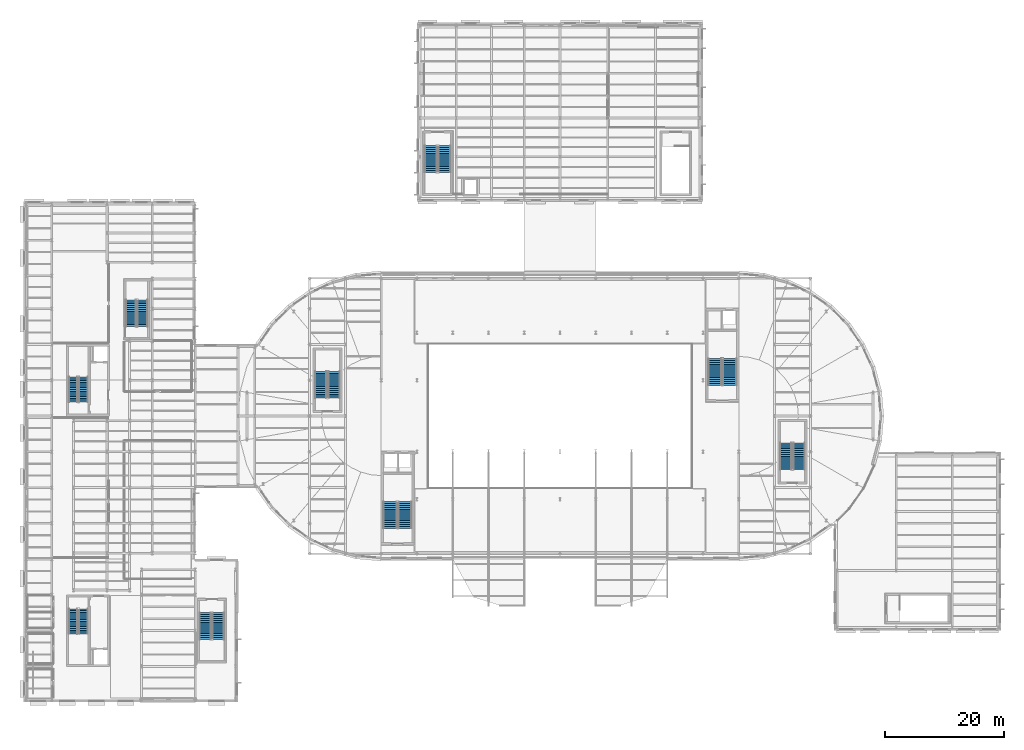
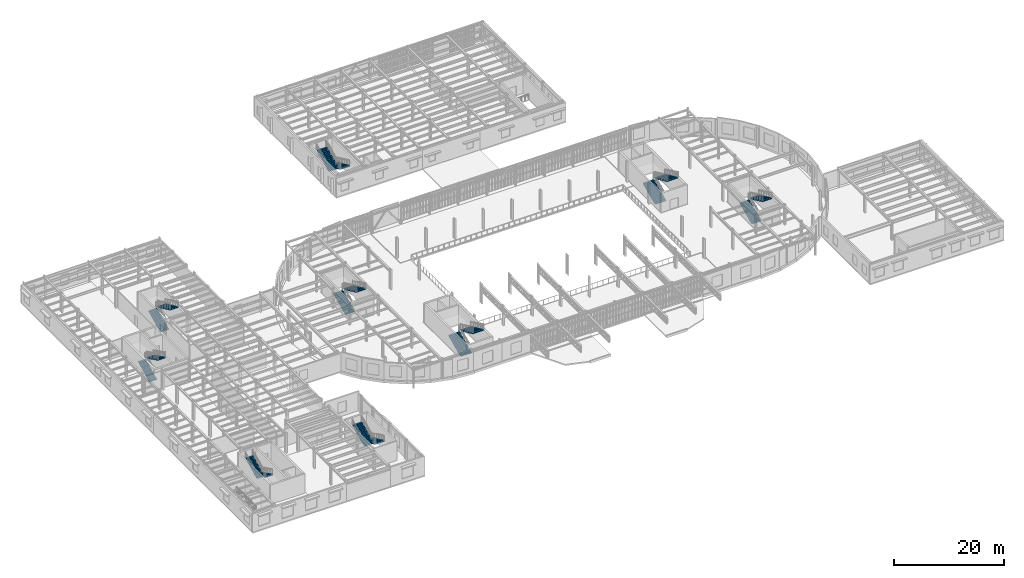
# One storey, part 72 of 91: 18 stair flights, 9 elements without a shape of their own.
"""IFC4 building model written with IfcOpenShell, lengths in metres."""

from ifc_helpers import new_model, si_unit, direction, frame, origin, place, context, subcontext, project, spatial, polyline, outline, extrude, material, type_object, element, aggregate, save


model = new_model("IFC4")

# Units and contexts
model_context = context("Model", 3, precision=1e-05, world=origin(), true_north=direction((0.0, 1.0)))
body_context = subcontext(model_context, "Body", "Model", "MODEL_VIEW")
ifc_project = project(units=[si_unit("LENGTHUNIT", "METRE"), si_unit("AREAUNIT", "SQUARE_METRE"), si_unit("VOLUMEUNIT", "CUBIC_METRE"), si_unit("PLANEANGLEUNIT", "RADIAN"), si_unit("MASSUNIT", "GRAM", prefix="KILO")], contexts=[model_context])

# Site, building, storey
site_placement = place(None, origin())
site = spatial("IfcSite", under=ifc_project, at=site_placement, CompositionType="ELEMENT")
building_placement = place(site_placement, origin())
building = spatial("IfcBuilding", under=site, at=building_placement, Name="Kolvaren Corner Interchange", CompositionType="ELEMENT")
storey_placement = place(building_placement, frame((0.0, 0.0, 6.0)))
storey = spatial("IfcBuildingStorey", under=building, at=storey_placement, Name="L02", CompositionType="ELEMENT", Elevation=6.0)

# Stair, stair flights
ifc_material_1 = material(Name="Concrete C35/45", Category="concrete")
stair_type_1 = type_object("IfcStairType", Name="ST-FF-1550", PredefinedType="HALF_TURN_STAIR", material=ifc_material_1)
stair_1_placement = place(storey_placement, origin())
stair_1 = element("IfcStair", 1, at=stair_1_placement, inside=storey, type_object=stair_type_1, Name="Core C1 Southwest Firefighting Stair L02 to L03 Stair", PredefinedType="HALF_TURN_STAIR")
ifc_material_2 = material(Name="Concrete C35/45", Category="concrete")
stair_flight_type_1 = type_object("IfcStairFlightType", Name="SFT-FF-1550", PredefinedType="STRAIGHT", material=ifc_material_2)
stair_flight_1_placement = place(storey_placement, frame((10.074951171875, 15.64990234375, 0.0), z_axis=(0.0, 0.0, 1.0), x_axis=(0.0, -1.0, 0.0)))
stair_flight_1 = element("IfcStairFlight", 2, at=stair_flight_1_placement, type_object=stair_flight_type_1, Name="Core C1 Southwest Firefighting Stair L02 Lower Flight", NumberOfRisers=15, NumberOfTreads=14, PredefinedType="STRAIGHT", RiserHeight=0.15, TreadLength=0.3, context=body_context, shape_type="SweptSolid", body=[
    extrude(outline(polyline([(0.0, 0.0), (0.0, 0.14990234375), (0.300048828125, 0.14990234375), (0.300048828125, 0.300048828125), (0.60009765625, 0.300048828125), (0.60009765625, 0.449951171875), (0.89990234375, 0.449951171875), (0.89990234375, 0.60009765625), (1.199951171875, 0.60009765625), (1.199951171875, 0.75), (1.5, 0.75), (1.5, 0.89990234375), (1.800048828125, 0.89990234375), (1.800048828125, 1.050048828125), (2.10009765625, 1.050048828125), (2.10009765625, 1.199951171875), (2.39990234375, 1.199951171875), (2.39990234375, 1.35009765625), (2.699951171875, 1.35009765625), (2.699951171875, 1.5), (3.0, 1.5), (3.0, 1.64990234375), (3.300048828125, 1.64990234375), (3.300048828125, 1.800048828125), (3.60009765625, 1.800048828125), (3.60009765625, 1.949951171875), (3.89990234375, 1.949951171875), (3.89990234375, 2.10009765625), (4.199951171875, 2.10009765625), (4.199951171875, 2.25), (4.199951171875, 1.921142578125), (0.357666015625, 0.0), (0.0, 0.0)])), frame((0.0, 0.77490234375, 0.0), z_axis=(0.0, -1.0, 0.0), x_axis=(1.0, 0.0, 0.0)), (0.0, 0.0, 1.0), 1.550048828125),
])
stair_flight_2_placement = place(storey_placement, frame((8.324951171875, 11.449951171875, 2.25), z_axis=(0.0, 0.0, 1.0), x_axis=(0.0, 1.0, 0.0)))
stair_flight_2 = element("IfcStairFlight", 3, at=stair_flight_2_placement, type_object=stair_flight_type_1, Name="Core C1 Southwest Firefighting Stair L02 Upper Flight", NumberOfRisers=15, NumberOfTreads=14, PredefinedType="STRAIGHT", RiserHeight=0.15, TreadLength=0.3, context=body_context, shape_type="SweptSolid", body=[
    extrude(outline(polyline([(0.0, 0.0), (0.0, 0.14990234375), (0.300048828125, 0.14990234375), (0.300048828125, 0.300048828125), (0.60009765625, 0.300048828125), (0.60009765625, 0.449951171875), (0.89990234375, 0.449951171875), (0.89990234375, 0.60009765625), (1.199951171875, 0.60009765625), (1.199951171875, 0.75), (1.5, 0.75), (1.5, 0.89990234375), (1.800048828125, 0.89990234375), (1.800048828125, 1.050048828125), (2.10009765625, 1.050048828125), (2.10009765625, 1.199951171875), (2.39990234375, 1.199951171875), (2.39990234375, 1.35009765625), (2.699951171875, 1.35009765625), (2.699951171875, 1.5), (3.0, 1.5), (3.0, 1.64990234375), (3.300048828125, 1.64990234375), (3.300048828125, 1.800048828125), (3.60009765625, 1.800048828125), (3.60009765625, 1.949951171875), (3.89990234375, 1.949951171875), (3.89990234375, 2.10009765625), (4.199951171875, 2.10009765625), (4.199951171875, 2.25), (4.199951171875, 1.921142578125), (0.357666015625, 0.0), (0.0, 0.0)])), frame((0.0, 0.77490234375, 0.0), z_axis=(0.0, -1.0, 0.0), x_axis=(1.0, 0.0, 0.0)), (0.0, 0.0, 1.0), 1.550048828125),
])
aggregate(stair_1, [stair_flight_1, stair_flight_2])

stair_2_placement = place(storey_placement, origin())
stair_2 = element("IfcStair", 4, at=stair_2_placement, inside=storey, type_object=stair_type_1, Name="Core C2 Northwest Firefighting Stair L02 to L03 Stair", PredefinedType="HALF_TURN_STAIR")
stair_flight_3_placement = place(storey_placement, frame((8.324951171875, 50.35009765625, 0.0), z_axis=(0.0, 0.0, 1.0), x_axis=(0.0, 1.0, 0.0)))
stair_flight_3 = element("IfcStairFlight", 5, at=stair_flight_3_placement, type_object=stair_flight_type_1, Name="Core C2 Northwest Firefighting Stair L02 Lower Flight", NumberOfRisers=15, NumberOfTreads=14, PredefinedType="STRAIGHT", RiserHeight=0.15, TreadLength=0.3, context=body_context, shape_type="SweptSolid", body=[
    extrude(outline(polyline([(0.0, 0.0), (0.0, 0.14990234375), (0.300048828125, 0.14990234375), (0.300048828125, 0.300048828125), (0.60009765625, 0.300048828125), (0.60009765625, 0.449951171875), (0.89990234375, 0.449951171875), (0.89990234375, 0.60009765625), (1.199951171875, 0.60009765625), (1.199951171875, 0.75), (1.5, 0.75), (1.5, 0.89990234375), (1.800048828125, 0.89990234375), (1.800048828125, 1.050048828125), (2.10009765625, 1.050048828125), (2.10009765625, 1.199951171875), (2.39990234375, 1.199951171875), (2.39990234375, 1.35009765625), (2.699951171875, 1.35009765625), (2.699951171875, 1.5), (3.0, 1.5), (3.0, 1.64990234375), (3.300048828125, 1.64990234375), (3.300048828125, 1.800048828125), (3.60009765625, 1.800048828125), (3.60009765625, 1.949951171875), (3.89990234375, 1.949951171875), (3.89990234375, 2.10009765625), (4.199951171875, 2.10009765625), (4.199951171875, 2.25), (4.199951171875, 1.921142578125), (0.357666015625, 0.0), (0.0, 0.0)])), frame((0.0, 0.77490234375, 0.0), z_axis=(0.0, -1.0, 0.0), x_axis=(1.0, 0.0, 0.0)), (0.0, 0.0, 1.0), 1.550048828125),
])
stair_flight_4_placement = place(storey_placement, frame((10.074951171875, 54.550048828125, 2.25), z_axis=(0.0, 0.0, 1.0), x_axis=(0.0, -1.0, 0.0)))
stair_flight_4 = element("IfcStairFlight", 6, at=stair_flight_4_placement, type_object=stair_flight_type_1, Name="Core C2 Northwest Firefighting Stair L02 Upper Flight", NumberOfRisers=15, NumberOfTreads=14, PredefinedType="STRAIGHT", RiserHeight=0.15, TreadLength=0.3, context=body_context, shape_type="SweptSolid", body=[
    extrude(outline(polyline([(0.0, 0.0), (0.0, 0.14990234375), (0.300048828125, 0.14990234375), (0.300048828125, 0.300048828125), (0.60009765625, 0.300048828125), (0.60009765625, 0.449951171875), (0.89990234375, 0.449951171875), (0.89990234375, 0.60009765625), (1.199951171875, 0.60009765625), (1.199951171875, 0.75), (1.5, 0.75), (1.5, 0.89990234375), (1.800048828125, 0.89990234375), (1.800048828125, 1.050048828125), (2.10009765625, 1.050048828125), (2.10009765625, 1.199951171875), (2.39990234375, 1.199951171875), (2.39990234375, 1.35009765625), (2.699951171875, 1.35009765625), (2.699951171875, 1.5), (3.0, 1.5), (3.0, 1.64990234375), (3.300048828125, 1.64990234375), (3.300048828125, 1.800048828125), (3.60009765625, 1.800048828125), (3.60009765625, 1.949951171875), (3.89990234375, 1.949951171875), (3.89990234375, 2.10009765625), (4.199951171875, 2.10009765625), (4.199951171875, 2.25), (4.199951171875, 1.921142578125), (0.357666015625, 0.0), (0.0, 0.0)])), frame((0.0, 0.77490234375, 0.0), z_axis=(0.0, -1.0, 0.0), x_axis=(1.0, 0.0, 0.0)), (0.0, 0.0, 1.0), 1.550048828125),
])
aggregate(stair_2, [stair_flight_3, stair_flight_4])

ifc_material_3 = material(Name="Concrete C35/45", Category="concrete")
stair_type_2 = type_object("IfcStairType", Name="ST-GL-2000", PredefinedType="HALF_TURN_STAIR", material=ifc_material_3)
stair_3_placement = place(storey_placement, origin())
stair_3 = element("IfcStair", 7, at=stair_3_placement, inside=storey, type_object=stair_type_2, Name="West Racetrack Concourse Gallery Stair L02 to L03 Stair", PredefinedType="HALF_TURN_STAIR")
ifc_material_4 = material(Name="Concrete C35/45", Category="concrete")
stair_flight_type_2 = type_object("IfcStairFlightType", Name="SFT-GL-2000", PredefinedType="STRAIGHT", material=ifc_material_4)
stair_flight_5_placement = place(storey_placement, frame((49.89990234375, 51.0, 0.0), z_axis=(0.0, 0.0, 1.0), x_axis=(0.0, 1.0, 0.0)))
stair_flight_5 = element("IfcStairFlight", 8, at=stair_flight_5_placement, type_object=stair_flight_type_2, Name="West Racetrack Concourse Gallery Stair L02 Lower Flight", NumberOfRisers=15, NumberOfTreads=14, PredefinedType="STRAIGHT", RiserHeight=0.15, TreadLength=0.32, context=body_context, shape_type="SweptSolid", body=[
    extrude(outline(polyline([(0.0, 0.0), (0.0, 0.14990234375), (0.320068359375, 0.14990234375), (0.320068359375, 0.300048828125), (0.639892578125, 0.300048828125), (0.639892578125, 0.449951171875), (0.9599609375, 0.449951171875), (0.9599609375, 0.60009765625), (1.280029296875, 0.60009765625), (1.280029296875, 0.75), (1.60009765625, 0.75), (1.60009765625, 0.89990234375), (1.919921875, 0.89990234375), (1.919921875, 1.050048828125), (2.239990234375, 1.050048828125), (2.239990234375, 1.199951171875), (2.56005859375, 1.199951171875), (2.56005859375, 1.35009765625), (2.8798828125, 1.35009765625), (2.8798828125, 1.5), (3.199951171875, 1.5), (3.199951171875, 1.64990234375), (3.52001953125, 1.64990234375), (3.52001953125, 1.800048828125), (3.840087890625, 1.800048828125), (3.840087890625, 1.949951171875), (4.159912109375, 1.949951171875), (4.159912109375, 2.10009765625), (4.47998046875, 2.10009765625), (4.47998046875, 2.25), (4.47998046875, 1.912353515625), (0.400390625, 0.0), (0.0, 0.0)])), frame((0.0, 1.0, 0.0), z_axis=(0.0, -1.0, 0.0), x_axis=(1.0, 0.0, 0.0)), (0.0, 0.0, 1.0), 2.0),
])
stair_flight_6_placement = place(storey_placement, frame((52.10009765625, 55.47998046875, 2.25), z_axis=(0.0, 0.0, 1.0), x_axis=(0.0, -1.0, 0.0)))
stair_flight_6 = element("IfcStairFlight", 9, at=stair_flight_6_placement, type_object=stair_flight_type_2, Name="West Racetrack Concourse Gallery Stair L02 Upper Flight", NumberOfRisers=15, NumberOfTreads=14, PredefinedType="STRAIGHT", RiserHeight=0.15, TreadLength=0.32, context=body_context, shape_type="SweptSolid", body=[
    extrude(outline(polyline([(0.0, 0.0), (0.0, 0.14990234375), (0.320068359375, 0.14990234375), (0.320068359375, 0.300048828125), (0.639892578125, 0.300048828125), (0.639892578125, 0.449951171875), (0.9599609375, 0.449951171875), (0.9599609375, 0.60009765625), (1.280029296875, 0.60009765625), (1.280029296875, 0.75), (1.60009765625, 0.75), (1.60009765625, 0.89990234375), (1.919921875, 0.89990234375), (1.919921875, 1.050048828125), (2.239990234375, 1.050048828125), (2.239990234375, 1.199951171875), (2.56005859375, 1.199951171875), (2.56005859375, 1.35009765625), (2.8798828125, 1.35009765625), (2.8798828125, 1.5), (3.199951171875, 1.5), (3.199951171875, 1.64990234375), (3.52001953125, 1.64990234375), (3.52001953125, 1.800048828125), (3.840087890625, 1.800048828125), (3.840087890625, 1.949951171875), (4.159912109375, 1.949951171875), (4.159912109375, 2.10009765625), (4.47998046875, 2.10009765625), (4.47998046875, 2.25), (4.47998046875, 1.912353515625), (0.400390625, 0.0), (0.0, 0.0)])), frame((0.0, 1.0, 0.0), z_axis=(0.0, -1.0, 0.0), x_axis=(1.0, 0.0, 0.0)), (0.0, 0.0, 1.0), 2.0),
])
aggregate(stair_3, [stair_flight_5, stair_flight_6])

stair_4_placement = place(storey_placement, origin())
stair_4 = element("IfcStair", 10, at=stair_4_placement, inside=storey, type_object=stair_type_2, Name="East Racetrack Concourse Gallery Stair L02 to L03 Stair", PredefinedType="HALF_TURN_STAIR")
stair_flight_7_placement = place(storey_placement, frame((127.89990234375, 39.0, 0.0), z_axis=(0.0, 0.0, 1.0), x_axis=(0.0, 1.0, 0.0)))
stair_flight_7 = element("IfcStairFlight", 11, at=stair_flight_7_placement, type_object=stair_flight_type_2, Name="East Racetrack Concourse Gallery Stair L02 Lower Flight", NumberOfRisers=15, NumberOfTreads=14, PredefinedType="STRAIGHT", RiserHeight=0.15, TreadLength=0.32, context=body_context, shape_type="SweptSolid", body=[
    extrude(outline(polyline([(0.0, 0.0), (0.0, 0.14990234375), (0.320068359375, 0.14990234375), (0.320068359375, 0.300048828125), (0.639892578125, 0.300048828125), (0.639892578125, 0.449951171875), (0.9599609375, 0.449951171875), (0.9599609375, 0.60009765625), (1.280029296875, 0.60009765625), (1.280029296875, 0.75), (1.60009765625, 0.75), (1.60009765625, 0.89990234375), (1.919921875, 0.89990234375), (1.919921875, 1.050048828125), (2.239990234375, 1.050048828125), (2.239990234375, 1.199951171875), (2.56005859375, 1.199951171875), (2.56005859375, 1.35009765625), (2.8798828125, 1.35009765625), (2.8798828125, 1.5), (3.199951171875, 1.5), (3.199951171875, 1.64990234375), (3.52001953125, 1.64990234375), (3.52001953125, 1.800048828125), (3.840087890625, 1.800048828125), (3.840087890625, 1.949951171875), (4.159912109375, 1.949951171875), (4.159912109375, 2.10009765625), (4.47998046875, 2.10009765625), (4.47998046875, 2.25), (4.47998046875, 1.912353515625), (0.400390625, 0.0), (0.0, 0.0)])), frame((0.0, 1.0, 0.0), z_axis=(0.0, -1.0, 0.0), x_axis=(1.0, 0.0, 0.0)), (0.0, 0.0, 1.0), 2.0),
])
stair_flight_8_placement = place(storey_placement, frame((130.10009765625, 43.47998046875, 2.25), z_axis=(0.0, 0.0, 1.0), x_axis=(0.0, -1.0, 0.0)))
stair_flight_8 = element("IfcStairFlight", 12, at=stair_flight_8_placement, type_object=stair_flight_type_2, Name="East Racetrack Concourse Gallery Stair L02 Upper Flight", NumberOfRisers=15, NumberOfTreads=14, PredefinedType="STRAIGHT", RiserHeight=0.15, TreadLength=0.32, context=body_context, shape_type="SweptSolid", body=[
    extrude(outline(polyline([(0.0, 0.0), (0.0, 0.14990234375), (0.320068359375, 0.14990234375), (0.320068359375, 0.300048828125), (0.639892578125, 0.300048828125), (0.639892578125, 0.449951171875), (0.9599609375, 0.449951171875), (0.9599609375, 0.60009765625), (1.280029296875, 0.60009765625), (1.280029296875, 0.75), (1.60009765625, 0.75), (1.60009765625, 0.89990234375), (1.919921875, 0.89990234375), (1.919921875, 1.050048828125), (2.239990234375, 1.050048828125), (2.239990234375, 1.199951171875), (2.56005859375, 1.199951171875), (2.56005859375, 1.35009765625), (2.8798828125, 1.35009765625), (2.8798828125, 1.5), (3.199951171875, 1.5), (3.199951171875, 1.64990234375), (3.52001953125, 1.64990234375), (3.52001953125, 1.800048828125), (3.840087890625, 1.800048828125), (3.840087890625, 1.949951171875), (4.159912109375, 1.949951171875), (4.159912109375, 2.10009765625), (4.47998046875, 2.10009765625), (4.47998046875, 2.25), (4.47998046875, 1.912353515625), (0.400390625, 0.0), (0.0, 0.0)])), frame((0.0, 1.0, 0.0), z_axis=(0.0, -1.0, 0.0), x_axis=(1.0, 0.0, 0.0)), (0.0, 0.0, 1.0), 2.0),
])
aggregate(stair_4, [stair_flight_7, stair_flight_8])

stair_5_placement = place(storey_placement, origin())
stair_5 = element("IfcStair", 13, at=stair_5_placement, inside=storey, type_object=stair_type_2, Name="Operations South Bar Protected Exit Stair L02 to L03 Stair", PredefinedType="HALF_TURN_STAIR")
stair_flight_9_placement = place(storey_placement, frame((32.699951171875, 15.0, 0.0), z_axis=(0.0, 0.0, 1.0), x_axis=(0.0, -1.0, 0.0)))
stair_flight_9 = element("IfcStairFlight", 14, at=stair_flight_9_placement, type_object=stair_flight_type_2, Name="Operations South Bar Protected Exit Stair L02 Lower Flight", NumberOfRisers=15, NumberOfTreads=14, PredefinedType="STRAIGHT", RiserHeight=0.15, TreadLength=0.32, context=body_context, shape_type="SweptSolid", body=[
    extrude(outline(polyline([(0.0, 0.0), (0.0, 0.14990234375), (0.320068359375, 0.14990234375), (0.320068359375, 0.300048828125), (0.639892578125, 0.300048828125), (0.639892578125, 0.449951171875), (0.9599609375, 0.449951171875), (0.9599609375, 0.60009765625), (1.280029296875, 0.60009765625), (1.280029296875, 0.75), (1.60009765625, 0.75), (1.60009765625, 0.89990234375), (1.919921875, 0.89990234375), (1.919921875, 1.050048828125), (2.239990234375, 1.050048828125), (2.239990234375, 1.199951171875), (2.56005859375, 1.199951171875), (2.56005859375, 1.35009765625), (2.8798828125, 1.35009765625), (2.8798828125, 1.5), (3.199951171875, 1.5), (3.199951171875, 1.64990234375), (3.52001953125, 1.64990234375), (3.52001953125, 1.800048828125), (3.840087890625, 1.800048828125), (3.840087890625, 1.949951171875), (4.159912109375, 1.949951171875), (4.159912109375, 2.10009765625), (4.47998046875, 2.10009765625), (4.47998046875, 2.25), (4.47998046875, 1.912353515625), (0.400390625, 0.0), (0.0, 0.0)])), frame((0.0, 1.0, 0.0), z_axis=(0.0, -1.0, 0.0), x_axis=(1.0, 0.0, 0.0)), (0.0, 0.0, 1.0), 2.0),
])
stair_flight_10_placement = place(storey_placement, frame((30.5, 10.52001953125, 2.25), z_axis=(0.0, 0.0, 1.0), x_axis=(0.0, 1.0, 0.0)))
stair_flight_10 = element("IfcStairFlight", 15, at=stair_flight_10_placement, type_object=stair_flight_type_2, Name="Operations South Bar Protected Exit Stair L02 Upper Flight", NumberOfRisers=15, NumberOfTreads=14, PredefinedType="STRAIGHT", RiserHeight=0.15, TreadLength=0.32, context=body_context, shape_type="SweptSolid", body=[
    extrude(outline(polyline([(0.0, 0.0), (0.0, 0.14990234375), (0.320068359375, 0.14990234375), (0.320068359375, 0.300048828125), (0.639892578125, 0.300048828125), (0.639892578125, 0.449951171875), (0.9599609375, 0.449951171875), (0.9599609375, 0.60009765625), (1.280029296875, 0.60009765625), (1.280029296875, 0.75), (1.60009765625, 0.75), (1.60009765625, 0.89990234375), (1.919921875, 0.89990234375), (1.919921875, 1.050048828125), (2.239990234375, 1.050048828125), (2.239990234375, 1.199951171875), (2.56005859375, 1.199951171875), (2.56005859375, 1.35009765625), (2.8798828125, 1.35009765625), (2.8798828125, 1.5), (3.199951171875, 1.5), (3.199951171875, 1.64990234375), (3.52001953125, 1.64990234375), (3.52001953125, 1.800048828125), (3.840087890625, 1.800048828125), (3.840087890625, 1.949951171875), (4.159912109375, 1.949951171875), (4.159912109375, 2.10009765625), (4.47998046875, 2.10009765625), (4.47998046875, 2.25), (4.47998046875, 1.912353515625), (0.400390625, 0.0), (0.0, 0.0)])), frame((0.0, 1.0, 0.0), z_axis=(0.0, -1.0, 0.0), x_axis=(1.0, 0.0, 0.0)), (0.0, 0.0, 1.0), 2.0),
])
aggregate(stair_5, [stair_flight_9, stair_flight_10])

ifc_material_5 = material(Name="Concrete C35/45", Category="concrete")
stair_type_3 = type_object("IfcStairType", Name="ST-OP-1750", PredefinedType="HALF_TURN_STAIR", material=ifc_material_5)
stair_6_placement = place(storey_placement, origin())
stair_6 = element("IfcStair", 16, at=stair_6_placement, inside=storey, type_object=stair_type_3, Name="Operations North Wing Protected Exit Stair L02 to L03 Stair", PredefinedType="HALF_TURN_STAIR")
ifc_material_6 = material(Name="Concrete C35/45", Category="concrete")
stair_flight_type_3 = type_object("IfcStairFlightType", Name="SFT-OP-1750", PredefinedType="STRAIGHT", material=ifc_material_6)
stair_flight_11_placement = place(storey_placement, frame((18.02490234375, 63.0, 0.0), z_axis=(0.0, 0.0, 1.0), x_axis=(0.0, 1.0, 0.0)))
stair_flight_11 = element("IfcStairFlight", 17, at=stair_flight_11_placement, type_object=stair_flight_type_3, Name="Operations North Wing Protected Exit Stair L02 Lower Flight", NumberOfRisers=15, NumberOfTreads=14, PredefinedType="STRAIGHT", RiserHeight=0.15, TreadLength=0.32, context=body_context, shape_type="SweptSolid", body=[
    extrude(outline(polyline([(0.0, 0.0), (0.0, 0.14990234375), (0.320068359375, 0.14990234375), (0.320068359375, 0.300048828125), (0.639892578125, 0.300048828125), (0.639892578125, 0.449951171875), (0.9599609375, 0.449951171875), (0.9599609375, 0.60009765625), (1.280029296875, 0.60009765625), (1.280029296875, 0.75), (1.60009765625, 0.75), (1.60009765625, 0.89990234375), (1.919921875, 0.89990234375), (1.919921875, 1.050048828125), (2.239990234375, 1.050048828125), (2.239990234375, 1.199951171875), (2.56005859375, 1.199951171875), (2.56005859375, 1.35009765625), (2.8798828125, 1.35009765625), (2.8798828125, 1.5), (3.199951171875, 1.5), (3.199951171875, 1.64990234375), (3.52001953125, 1.64990234375), (3.52001953125, 1.800048828125), (3.840087890625, 1.800048828125), (3.840087890625, 1.949951171875), (4.159912109375, 1.949951171875), (4.159912109375, 2.10009765625), (4.47998046875, 2.10009765625), (4.47998046875, 2.25), (4.47998046875, 1.92333984375), (0.376708984375, 0.0), (0.0, 0.0)])), frame((0.0, 0.875, 0.0), z_axis=(0.0, -1.0, 0.0), x_axis=(1.0, 0.0, 0.0)), (0.0, 0.0, 1.0), 1.75),
])
stair_flight_12_placement = place(storey_placement, frame((19.97509765625, 67.47998046875, 2.25), z_axis=(0.0, 0.0, 1.0), x_axis=(0.0, -1.0, 0.0)))
stair_flight_12 = element("IfcStairFlight", 18, at=stair_flight_12_placement, type_object=stair_flight_type_3, Name="Operations North Wing Protected Exit Stair L02 Upper Flight", NumberOfRisers=15, NumberOfTreads=14, PredefinedType="STRAIGHT", RiserHeight=0.15, TreadLength=0.32, context=body_context, shape_type="SweptSolid", body=[
    extrude(outline(polyline([(0.0, 0.0), (0.0, 0.14990234375), (0.320068359375, 0.14990234375), (0.320068359375, 0.300048828125), (0.639892578125, 0.300048828125), (0.639892578125, 0.449951171875), (0.9599609375, 0.449951171875), (0.9599609375, 0.60009765625), (1.280029296875, 0.60009765625), (1.280029296875, 0.75), (1.60009765625, 0.75), (1.60009765625, 0.89990234375), (1.919921875, 0.89990234375), (1.919921875, 1.050048828125), (2.239990234375, 1.050048828125), (2.239990234375, 1.199951171875), (2.56005859375, 1.199951171875), (2.56005859375, 1.35009765625), (2.8798828125, 1.35009765625), (2.8798828125, 1.5), (3.199951171875, 1.5), (3.199951171875, 1.64990234375), (3.52001953125, 1.64990234375), (3.52001953125, 1.800048828125), (3.840087890625, 1.800048828125), (3.840087890625, 1.949951171875), (4.159912109375, 1.949951171875), (4.159912109375, 2.10009765625), (4.47998046875, 2.10009765625), (4.47998046875, 2.25), (4.47998046875, 1.92333984375), (0.376708984375, 0.0), (0.0, 0.0)])), frame((0.0, 0.875, 0.0), z_axis=(0.0, -1.0, 0.0), x_axis=(1.0, 0.0, 0.0)), (0.0, 0.0, 1.0), 1.75),
])
aggregate(stair_6, [stair_flight_11, stair_flight_12])

ifc_material_7 = material(Name="Concrete C35/45", Category="concrete")
stair_type_4 = type_object("IfcStairType", Name="ST-PL-2100", PredefinedType="HALF_TURN_STAIR", material=ifc_material_7)
stair_7_placement = place(storey_placement, origin())
stair_7 = element("IfcStair", 19, at=stair_7_placement, inside=storey, type_object=stair_type_4, Name="Cycle Hub West Pavilion Exit Stair L02 to L03 Stair", PredefinedType="HALF_TURN_STAIR")
ifc_material_8 = material(Name="Concrete C35/45", Category="concrete")
stair_flight_type_4 = type_object("IfcStairFlightType", Name="SFT-PL-2100", PredefinedType="STRAIGHT", material=ifc_material_8)
stair_flight_13_placement = place(storey_placement, frame((70.64990234375, 93.35009765625, 0.0), z_axis=(0.0, 0.0, 1.0), x_axis=(0.0, -1.0, 0.0)))
stair_flight_13 = element("IfcStairFlight", 20, at=stair_flight_13_placement, type_object=stair_flight_type_4, Name="Cycle Hub West Pavilion Exit Stair L02 Lower Flight", NumberOfRisers=15, NumberOfTreads=14, PredefinedType="STRAIGHT", RiserHeight=0.15, TreadLength=0.32, context=body_context, shape_type="SweptSolid", body=[
    extrude(outline(polyline([(0.0, 0.0), (0.0, 0.14990234375), (0.320068359375, 0.14990234375), (0.320068359375, 0.300048828125), (0.639892578125, 0.300048828125), (0.639892578125, 0.449951171875), (0.9599609375, 0.449951171875), (0.9599609375, 0.60009765625), (1.280029296875, 0.60009765625), (1.280029296875, 0.75), (1.60009765625, 0.75), (1.60009765625, 0.89990234375), (1.919921875, 0.89990234375), (1.919921875, 1.050048828125), (2.239990234375, 1.050048828125), (2.239990234375, 1.199951171875), (2.56005859375, 1.199951171875), (2.56005859375, 1.35009765625), (2.8798828125, 1.35009765625), (2.8798828125, 1.5), (3.199951171875, 1.5), (3.199951171875, 1.64990234375), (3.52001953125, 1.64990234375), (3.52001953125, 1.800048828125), (3.840087890625, 1.800048828125), (3.840087890625, 1.949951171875), (4.159912109375, 1.949951171875), (4.159912109375, 2.10009765625), (4.47998046875, 2.10009765625), (4.47998046875, 2.25), (4.47998046875, 1.9013671875), (0.423828125, 0.0), (0.0, 0.0)])), frame((0.0, 1.050048828125, 0.0), z_axis=(0.0, -1.0, 0.0), x_axis=(1.0, 0.0, 0.0)), (0.0, 0.0, 1.0), 2.10009765625),
])
stair_flight_14_placement = place(storey_placement, frame((68.35009765625, 88.8701171875, 2.25), z_axis=(0.0, 0.0, 1.0), x_axis=(0.0, 1.0, 0.0)))
stair_flight_14 = element("IfcStairFlight", 21, at=stair_flight_14_placement, type_object=stair_flight_type_4, Name="Cycle Hub West Pavilion Exit Stair L02 Upper Flight", NumberOfRisers=15, NumberOfTreads=14, PredefinedType="STRAIGHT", RiserHeight=0.15, TreadLength=0.32, context=body_context, shape_type="SweptSolid", body=[
    extrude(outline(polyline([(0.0, 0.0), (0.0, 0.14990234375), (0.320068359375, 0.14990234375), (0.320068359375, 0.300048828125), (0.639892578125, 0.300048828125), (0.639892578125, 0.449951171875), (0.9599609375, 0.449951171875), (0.9599609375, 0.60009765625), (1.280029296875, 0.60009765625), (1.280029296875, 0.75), (1.60009765625, 0.75), (1.60009765625, 0.89990234375), (1.919921875, 0.89990234375), (1.919921875, 1.050048828125), (2.239990234375, 1.050048828125), (2.239990234375, 1.199951171875), (2.56005859375, 1.199951171875), (2.56005859375, 1.35009765625), (2.8798828125, 1.35009765625), (2.8798828125, 1.5), (3.199951171875, 1.5), (3.199951171875, 1.64990234375), (3.52001953125, 1.64990234375), (3.52001953125, 1.800048828125), (3.840087890625, 1.800048828125), (3.840087890625, 1.949951171875), (4.159912109375, 1.949951171875), (4.159912109375, 2.10009765625), (4.47998046875, 2.10009765625), (4.47998046875, 2.25), (4.47998046875, 1.9013671875), (0.423828125, 0.0), (0.0, 0.0)])), frame((0.0, 1.050048828125, 0.0), z_axis=(0.0, -1.0, 0.0), x_axis=(1.0, 0.0, 0.0)), (0.0, 0.0, 1.0), 2.10009765625),
])
aggregate(stair_7, [stair_flight_13, stair_flight_14])

ifc_material_9 = material(Name="Concrete C35/45", Category="concrete")
stair_type_5 = type_object("IfcStairType", Name="ST-TR-2300", PredefinedType="HALF_TURN_STAIR", material=ifc_material_9)
stair_8_placement = place(storey_placement, origin())
stair_8 = element("IfcStair", 22, at=stair_8_placement, inside=storey, type_object=stair_type_5, Name="Core C3 West Concourse Transfer Stair L02 to L03 Stair", PredefinedType="HALF_TURN_STAIR")
ifc_material_10 = material(Name="Concrete C35/45", Category="concrete")
stair_flight_type_5 = type_object("IfcStairFlightType", Name="SFT-TR-2300", PredefinedType="STRAIGHT", material=ifc_material_10)
stair_flight_15_placement = place(storey_placement, frame((61.5, 29.14990234375, 0.0), z_axis=(0.0, 0.0, 1.0), x_axis=(0.0, 1.0, 0.0)))
stair_flight_15 = element("IfcStairFlight", 23, at=stair_flight_15_placement, type_object=stair_flight_type_5, Name="Core C3 West Concourse Transfer Stair L02 Lower Flight", NumberOfRisers=15, NumberOfTreads=14, PredefinedType="STRAIGHT", RiserHeight=0.15, TreadLength=0.32, context=body_context, shape_type="SweptSolid", body=[
    extrude(outline(polyline([(0.0, 0.0), (0.0, 0.14990234375), (0.320068359375, 0.14990234375), (0.320068359375, 0.300048828125), (0.639892578125, 0.300048828125), (0.639892578125, 0.449951171875), (0.9599609375, 0.449951171875), (0.9599609375, 0.60009765625), (1.280029296875, 0.60009765625), (1.280029296875, 0.75), (1.60009765625, 0.75), (1.60009765625, 0.89990234375), (1.919921875, 0.89990234375), (1.919921875, 1.050048828125), (2.239990234375, 1.050048828125), (2.239990234375, 1.199951171875), (2.56005859375, 1.199951171875), (2.56005859375, 1.35009765625), (2.8798828125, 1.35009765625), (2.8798828125, 1.5), (3.199951171875, 1.5), (3.199951171875, 1.64990234375), (3.52001953125, 1.64990234375), (3.52001953125, 1.800048828125), (3.840087890625, 1.800048828125), (3.840087890625, 1.949951171875), (4.159912109375, 1.949951171875), (4.159912109375, 2.10009765625), (4.47998046875, 2.10009765625), (4.47998046875, 2.25), (4.47998046875, 1.89013671875), (0.447509765625, 0.0), (0.0, 0.0)])), frame((0.0, 1.14990234375, 0.0), z_axis=(0.0, -1.0, 0.0), x_axis=(1.0, 0.0, 0.0)), (0.0, 0.0, 1.0), 2.300048828125),
])
stair_flight_16_placement = place(storey_placement, frame((64.0, 33.6298828125, 2.25), z_axis=(0.0, 0.0, 1.0), x_axis=(0.0, -1.0, 0.0)))
stair_flight_16 = element("IfcStairFlight", 24, at=stair_flight_16_placement, type_object=stair_flight_type_5, Name="Core C3 West Concourse Transfer Stair L02 Upper Flight", NumberOfRisers=15, NumberOfTreads=14, PredefinedType="STRAIGHT", RiserHeight=0.15, TreadLength=0.32, context=body_context, shape_type="SweptSolid", body=[
    extrude(outline(polyline([(0.0, 0.0), (0.0, 0.14990234375), (0.320068359375, 0.14990234375), (0.320068359375, 0.300048828125), (0.639892578125, 0.300048828125), (0.639892578125, 0.449951171875), (0.9599609375, 0.449951171875), (0.9599609375, 0.60009765625), (1.280029296875, 0.60009765625), (1.280029296875, 0.75), (1.60009765625, 0.75), (1.60009765625, 0.89990234375), (1.919921875, 0.89990234375), (1.919921875, 1.050048828125), (2.239990234375, 1.050048828125), (2.239990234375, 1.199951171875), (2.56005859375, 1.199951171875), (2.56005859375, 1.35009765625), (2.8798828125, 1.35009765625), (2.8798828125, 1.5), (3.199951171875, 1.5), (3.199951171875, 1.64990234375), (3.52001953125, 1.64990234375), (3.52001953125, 1.800048828125), (3.840087890625, 1.800048828125), (3.840087890625, 1.949951171875), (4.159912109375, 1.949951171875), (4.159912109375, 2.10009765625), (4.47998046875, 2.10009765625), (4.47998046875, 2.25), (4.47998046875, 1.89013671875), (0.447509765625, 0.0), (0.0, 0.0)])), frame((0.0, 1.14990234375, 0.0), z_axis=(0.0, -1.0, 0.0), x_axis=(1.0, 0.0, 0.0)), (0.0, 0.0, 1.0), 2.300048828125),
])
aggregate(stair_8, [stair_flight_15, stair_flight_16])

stair_9_placement = place(storey_placement, origin())
stair_9 = element("IfcStair", 25, at=stair_9_placement, inside=storey, type_object=stair_type_5, Name="Core C4 East Concourse Transfer Stair L02 to L03 Stair", PredefinedType="HALF_TURN_STAIR")
stair_flight_17_placement = place(storey_placement, frame((116.0, 53.14990234375, 0.0), z_axis=(0.0, 0.0, 1.0), x_axis=(0.0, 1.0, 0.0)))
stair_flight_17 = element("IfcStairFlight", 26, at=stair_flight_17_placement, type_object=stair_flight_type_5, Name="Core C4 East Concourse Transfer Stair L02 Lower Flight", NumberOfRisers=15, NumberOfTreads=14, PredefinedType="STRAIGHT", RiserHeight=0.15, TreadLength=0.32, context=body_context, shape_type="SweptSolid", body=[
    extrude(outline(polyline([(0.0, 0.0), (0.0, 0.14990234375), (0.320068359375, 0.14990234375), (0.320068359375, 0.300048828125), (0.639892578125, 0.300048828125), (0.639892578125, 0.449951171875), (0.9599609375, 0.449951171875), (0.9599609375, 0.60009765625), (1.280029296875, 0.60009765625), (1.280029296875, 0.75), (1.60009765625, 0.75), (1.60009765625, 0.89990234375), (1.919921875, 0.89990234375), (1.919921875, 1.050048828125), (2.239990234375, 1.050048828125), (2.239990234375, 1.199951171875), (2.56005859375, 1.199951171875), (2.56005859375, 1.35009765625), (2.8798828125, 1.35009765625), (2.8798828125, 1.5), (3.199951171875, 1.5), (3.199951171875, 1.64990234375), (3.52001953125, 1.64990234375), (3.52001953125, 1.800048828125), (3.840087890625, 1.800048828125), (3.840087890625, 1.949951171875), (4.159912109375, 1.949951171875), (4.159912109375, 2.10009765625), (4.47998046875, 2.10009765625), (4.47998046875, 2.25), (4.47998046875, 1.89013671875), (0.447509765625, 0.0), (0.0, 0.0)])), frame((0.0, 1.14990234375, 0.0), z_axis=(0.0, -1.0, 0.0), x_axis=(1.0, 0.0, 0.0)), (0.0, 0.0, 1.0), 2.300048828125),
])
stair_flight_18_placement = place(storey_placement, frame((118.5, 57.6298828125, 2.25), z_axis=(0.0, 0.0, 1.0), x_axis=(0.0, -1.0, 0.0)))
stair_flight_18 = element("IfcStairFlight", 27, at=stair_flight_18_placement, type_object=stair_flight_type_5, Name="Core C4 East Concourse Transfer Stair L02 Upper Flight", NumberOfRisers=15, NumberOfTreads=14, PredefinedType="STRAIGHT", RiserHeight=0.15, TreadLength=0.32, context=body_context, shape_type="SweptSolid", body=[
    extrude(outline(polyline([(0.0, 0.0), (0.0, 0.14990234375), (0.320068359375, 0.14990234375), (0.320068359375, 0.300048828125), (0.639892578125, 0.300048828125), (0.639892578125, 0.449951171875), (0.9599609375, 0.449951171875), (0.9599609375, 0.60009765625), (1.280029296875, 0.60009765625), (1.280029296875, 0.75), (1.60009765625, 0.75), (1.60009765625, 0.89990234375), (1.919921875, 0.89990234375), (1.919921875, 1.050048828125), (2.239990234375, 1.050048828125), (2.239990234375, 1.199951171875), (2.56005859375, 1.199951171875), (2.56005859375, 1.35009765625), (2.8798828125, 1.35009765625), (2.8798828125, 1.5), (3.199951171875, 1.5), (3.199951171875, 1.64990234375), (3.52001953125, 1.64990234375), (3.52001953125, 1.800048828125), (3.840087890625, 1.800048828125), (3.840087890625, 1.949951171875), (4.159912109375, 1.949951171875), (4.159912109375, 2.10009765625), (4.47998046875, 2.10009765625), (4.47998046875, 2.25), (4.47998046875, 1.89013671875), (0.447509765625, 0.0), (0.0, 0.0)])), frame((0.0, 1.14990234375, 0.0), z_axis=(0.0, -1.0, 0.0), x_axis=(1.0, 0.0, 0.0)), (0.0, 0.0, 1.0), 2.300048828125),
])
aggregate(stair_9, [stair_flight_17, stair_flight_18])

save(model, "model.ifc")
